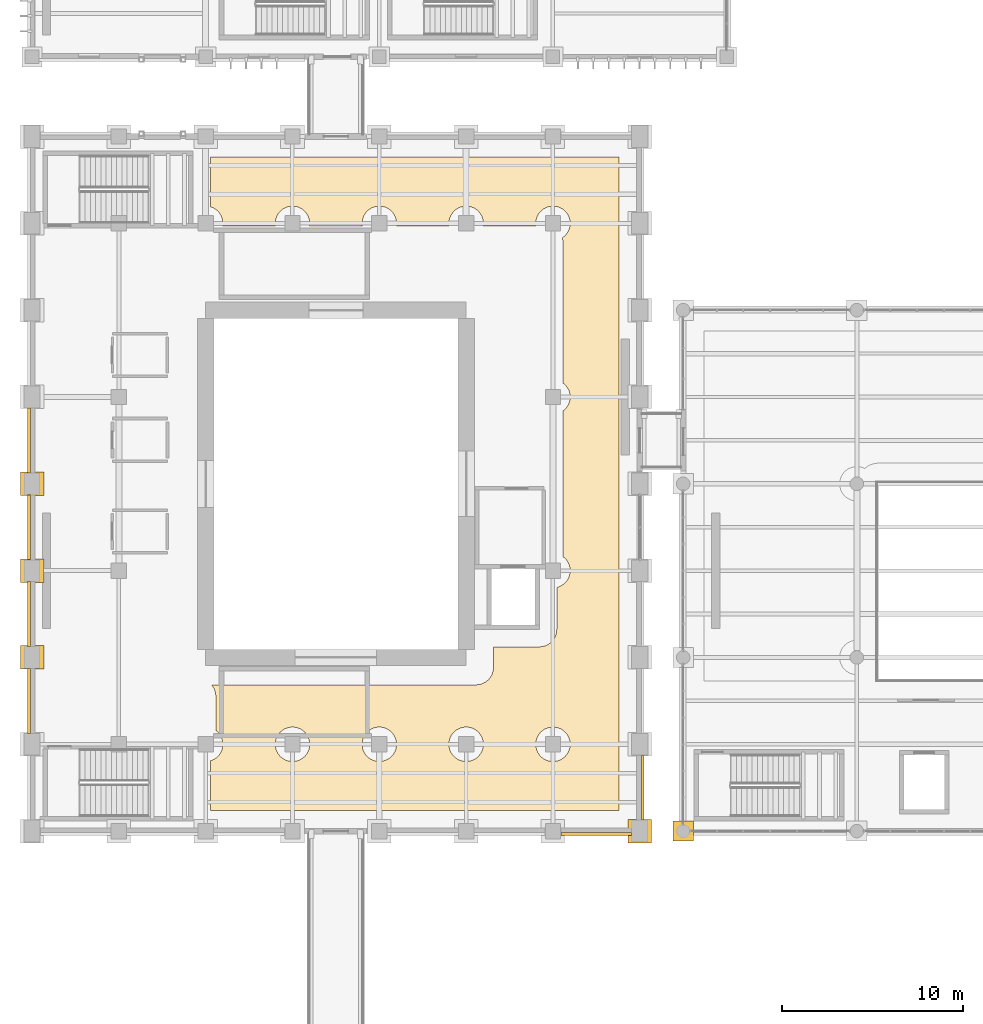
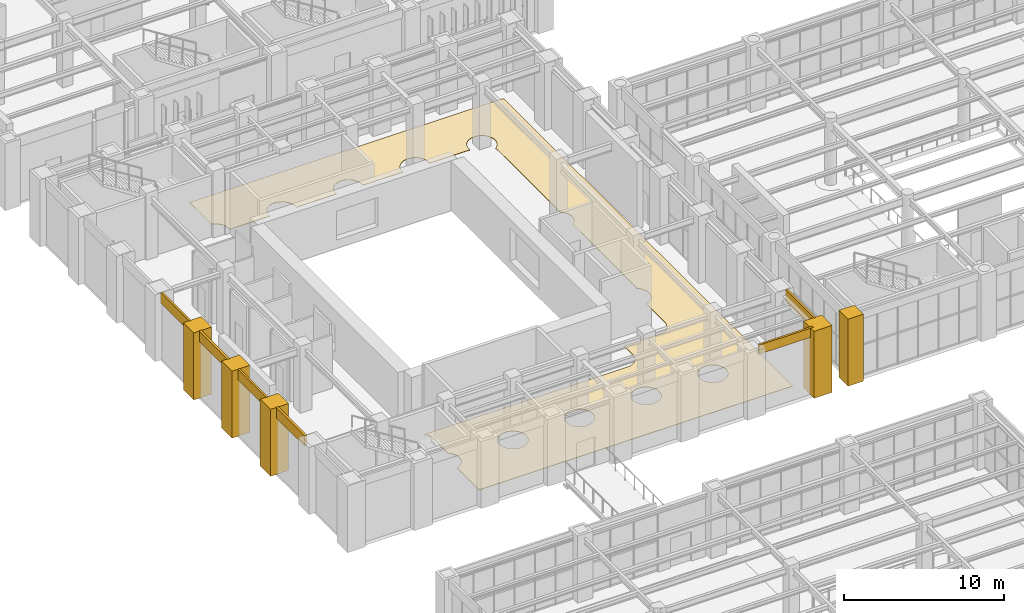
# One storey, part 156 of 174: 12 coverings.
"""IFC4 building model written with IfcOpenShell, lengths in metres."""

from ifc_helpers import new_model, si_unit, direction, frame, origin, place, context, subcontext, project, spatial, polyline, outline, extrude, material, layer, layer_set, type_object, element, save


model = new_model("IFC4")

# Units and contexts
model_context = context("Model", 3, precision=1e-05, world=origin(), true_north=direction((0.0, 1.0)))
body_context = subcontext(model_context, "Body", "Model", "MODEL_VIEW")
ifc_project = project(units=[si_unit("LENGTHUNIT", "METRE"), si_unit("AREAUNIT", "SQUARE_METRE"), si_unit("VOLUMEUNIT", "CUBIC_METRE"), si_unit("PLANEANGLEUNIT", "RADIAN"), si_unit("MASSUNIT", "GRAM", prefix="KILO")], contexts=[model_context])

# Site, building, storey
site_placement = place(None, origin())
site = spatial("IfcSite", under=ifc_project, at=site_placement, CompositionType="ELEMENT")
building_placement = place(site_placement, origin())
building = spatial("IfcBuilding", under=site, at=building_placement, Name="Mavantir Sound Aquarium", CompositionType="ELEMENT")
storey_placement = place(building_placement, frame((0.0, 0.0, 5.39990234375)))
storey = spatial("IfcBuildingStorey", under=building, at=storey_placement, Name="L01", CompositionType="ELEMENT", Elevation=5.39990234375)

# Coverings
ifc_material_1 = material(Name="Honed Coral-Limestone & Glazed Terracotta Rainscreen Cladding", Category="masonry")
ifc_layer_1 = layer(ifc_material_1, 0.06005859375, Name="Honed Coral-Limestone & Glazed Terracotta Rainscreen Cladding")
ifc_layer_set_1 = layer_set([ifc_layer_1], Name="Honed Coral-Limestone & Glazed Terracotta Rainscreen Cladding")
covering_type_1 = type_object("IfcCoveringType", Name="COV-CLAD-TC", PredefinedType="CLADDING", material=ifc_layer_set_1)
covering_1_placement = place(storey_placement, frame((0.0, 0.0, 4.19921875)))
element("IfcCovering", 1, at=covering_1_placement, inside=storey, type_object=covering_type_1, Name="L01 Postmodern coral-limestone spandrel frieze 155", PredefinedType="CLADDING", context=body_context, shape_type="SweptSolid", body=[
    extrude(outline(polyline([(33.68994140625, 41.407958984375), (33.68994140625, 44.991943359375), (33.840087890625, 44.991943359375), (33.840087890625, 41.407958984375), (33.68994140625, 41.407958984375)])), origin(), (0.0, 0.0, 1.0), 0.90087890625),
])
covering_2_placement = place(storey_placement, frame((0.0, 0.0, 4.30810546875)))
element("IfcCovering", 2, at=covering_2_placement, inside=storey, type_object=covering_type_1, Name="L01 Postmodern coral-limestone spandrel frieze 171", PredefinedType="CLADDING", context=body_context, shape_type="SweptSolid", body=[
    extrude(outline(polyline([(-0.090087890625, 64.19189453125), (-0.090087890625, 60.60791015625), (-0.239990234375, 60.60791015625), (-0.239990234375, 64.19189453125), (-0.090087890625, 64.19189453125)])), origin(), (0.0, 0.0, 1.0), 0.7919921875),
])
covering_3_placement = place(storey_placement, frame((0.0, 0.0, 4.30810546875)))
element("IfcCovering", 3, at=covering_3_placement, inside=storey, type_object=covering_type_1, Name="L01 Postmodern coral-limestone spandrel frieze 172", PredefinedType="CLADDING", context=body_context, shape_type="SweptSolid", body=[
    extrude(outline(polyline([(-0.090087890625, 59.39208984375), (-0.090087890625, 55.80810546875), (-0.239990234375, 55.80810546875), (-0.239990234375, 59.39208984375), (-0.090087890625, 59.39208984375)])), origin(), (0.0, 0.0, 1.0), 0.7919921875),
])
covering_4_placement = place(storey_placement, frame((0.0, 0.0, 4.30810546875)))
element("IfcCovering", 4, at=covering_4_placement, inside=storey, type_object=covering_type_1, Name="L01 Postmodern coral-limestone spandrel frieze 173", PredefinedType="CLADDING", context=body_context, shape_type="SweptSolid", body=[
    extrude(outline(polyline([(-0.090087890625, 54.592041015625), (-0.090087890625, 51.008056640625), (-0.239990234375, 51.008056640625), (-0.239990234375, 54.592041015625), (-0.090087890625, 54.592041015625)])), origin(), (0.0, 0.0, 1.0), 0.7919921875),
])
covering_5_placement = place(storey_placement, frame((0.0, 0.0, 4.30810546875)))
element("IfcCovering", 5, at=covering_5_placement, inside=storey, type_object=covering_type_1, Name="L01 Postmodern coral-limestone spandrel frieze 174", PredefinedType="CLADDING", context=body_context, shape_type="SweptSolid", body=[
    extrude(outline(polyline([(-0.090087890625, 49.7919921875), (-0.090087890625, 46.2080078125), (-0.239990234375, 46.2080078125), (-0.239990234375, 49.7919921875), (-0.090087890625, 49.7919921875)])), origin(), (0.0, 0.0, 1.0), 0.7919921875),
])
covering_6_placement = place(storey_placement, frame((0.0, 0.0, 4.4130859375)))
element("IfcCovering", 6, at=covering_6_placement, inside=storey, type_object=covering_type_1, Name="L01 Postmodern coral-limestone spandrel frieze 181", PredefinedType="CLADDING", context=body_context, shape_type="SweptSolid", body=[
    extrude(outline(polyline([(29.23291015625, 40.7099609375), (33.14208984375, 40.7099609375), (33.14208984375, 40.56005859375), (29.23291015625, 40.56005859375), (29.23291015625, 40.7099609375)])), origin(), (0.0, 0.0, 1.0), 0.68701171875),
])
covering_7_placement = place(storey_placement, origin())
element("IfcCovering", 7, at=covering_7_placement, inside=storey, type_object=covering_type_1, Name="L01 Postmodern coral-limestone pilaster casing 10", PredefinedType="CLADDING", context=body_context, shape_type="SweptSolid", body=[
    extrude(outline(polyline([(-0.64990234375, 49.75), (0.64990234375, 49.75), (0.64990234375, 51.050048828125), (-0.64990234375, 51.050048828125), (-0.64990234375, 49.75)])), origin(), (0.0, 0.0, 1.0), 5.10009765625),
])
covering_8_placement = place(storey_placement, origin())
element("IfcCovering", 8, at=covering_8_placement, inside=storey, type_object=covering_type_1, Name="L01 Postmodern coral-limestone pilaster casing 14", PredefinedType="CLADDING", context=body_context, shape_type="SweptSolid", body=[
    extrude(outline(polyline([(-0.64990234375, 54.550048828125), (0.64990234375, 54.550048828125), (0.64990234375, 55.85009765625), (-0.64990234375, 55.85009765625), (-0.64990234375, 54.550048828125)])), origin(), (0.0, 0.0, 1.0), 5.10009765625),
])
covering_9_placement = place(storey_placement, origin())
element("IfcCovering", 9, at=covering_9_placement, inside=storey, type_object=covering_type_1, Name="L01 Postmodern coral-limestone pilaster casing 18", PredefinedType="CLADDING", context=body_context, shape_type="SweptSolid", body=[
    extrude(outline(polyline([(-0.64990234375, 59.35009765625), (0.64990234375, 59.35009765625), (0.64990234375, 60.64990234375), (-0.64990234375, 60.64990234375), (-0.64990234375, 59.35009765625)])), origin(), (0.0, 0.0, 1.0), 5.10009765625),
])
covering_10_placement = place(storey_placement, origin())
element("IfcCovering", 10, at=covering_10_placement, inside=storey, type_object=covering_type_1, Name="L01 Postmodern coral-limestone pilaster casing 86", PredefinedType="CLADDING", context=body_context, shape_type="SweptSolid", body=[
    extrude(outline(polyline([(32.949951171875, 40.14990234375), (34.25, 40.14990234375), (34.25, 41.449951171875), (32.949951171875, 41.449951171875), (32.949951171875, 40.14990234375)])), origin(), (0.0, 0.0, 1.0), 5.10009765625),
])
covering_11_placement = place(storey_placement, origin())
element("IfcCovering", 11, at=covering_11_placement, inside=storey, type_object=covering_type_1, Name="L01 Postmodern coral-limestone pilaster casing 122", PredefinedType="CLADDING", context=body_context, shape_type="SweptSolid", body=[
    extrude(outline(polyline([(35.43994140625, 40.239990234375), (36.56005859375, 40.239990234375), (36.56005859375, 41.360107421875), (35.43994140625, 41.360107421875), (35.43994140625, 40.239990234375)])), origin(), (0.0, 0.0, 1.0), 5.10009765625),
])
ifc_material_2 = material(Name="Marine Epoxy Recycled-Shell Terrazzo Flooring")
ifc_layer_2 = layer(ifc_material_2, 0.030029296875, Name="Marine Epoxy Recycled-Shell Terrazzo Flooring")
ifc_layer_set_2 = layer_set([ifc_layer_2], Name="Marine Epoxy Recycled-Shell Terrazzo Flooring")
covering_type_2 = type_object("IfcCoveringType", Name="COV-FLR-TZ", PredefinedType="FLOORING", material=ifc_layer_set_2)
covering_12_placement = place(storey_placement, origin())
element("IfcCovering", 12, at=covering_12_placement, inside=storey, type_object=covering_type_2, Name="L01 Ocean Tank Mid-Pelagic Viewing Gallery terrazzo flooring", PredefinedType="FLOORING", context=body_context, shape_type="SweptSolid", body=[
    extrude(outline(polyline([(9.860107421875, 44.68701171875), (9.875732421875, 44.69091796875), (9.96337890625, 44.722412109375), (10.0478515625, 44.76220703125), (10.127685546875, 44.81005859375), (10.20263671875, 44.865478515625), (10.271728515625, 44.92822265625), (10.33447265625, 44.997314453125), (10.389892578125, 45.072265625), (10.437744140625, 45.152099609375), (10.477783203125, 45.236572265625), (10.509033203125, 45.32421875), (10.53173828125, 45.414794921875), (10.54541015625, 45.5068359375), (10.550048828125, 45.60009765625), (10.54541015625, 45.693115234375), (10.53173828125, 45.785400390625), (10.509033203125, 45.875732421875), (10.477783203125, 45.96337890625), (10.437744140625, 46.0478515625), (10.389892578125, 46.127685546875), (10.33447265625, 46.20263671875), (10.271728515625, 46.271728515625), (10.20263671875, 46.33447265625), (10.159912109375, 46.365966796875), (10.159912109375, 48.25), (10.15869140625, 48.295654296875), (10.158447265625, 48.301513671875), (10.149169921875, 48.393798828125), (10.148193359375, 48.399658203125), (10.1328125, 48.476318359375), (10.13134765625, 48.482177734375), (10.10498046875, 48.570068359375), (10.10302734375, 48.57568359375), (10.0693359375, 48.656982421875), (10.06689453125, 48.662353515625), (10.024658203125, 48.7412109375), (10.021484375, 48.746337890625), (9.97705078125, 48.813720703125), (9.9736328125, 48.818359375), (9.91455078125, 48.889892578125), (24.550048828125, 48.889892578125), (24.595703125, 48.89111328125), (24.6015625, 48.8916015625), (24.69384765625, 48.90087890625), (24.69970703125, 48.90185546875), (24.7763671875, 48.917236328125), (24.781982421875, 48.918701171875), (24.8701171875, 48.945068359375), (24.875732421875, 48.947021484375), (24.95703125, 48.980712890625), (24.96240234375, 48.983154296875), (25.041259765625, 49.025390625), (25.04638671875, 49.0283203125), (25.113525390625, 49.072998046875), (25.118408203125, 49.076416015625), (25.201171875, 49.14453125), (25.205322265625, 49.148681640625), (25.25146484375, 49.194580078125), (25.25537109375, 49.198974609375), (25.323486328125, 49.281494140625), (25.3271484375, 49.286376953125), (25.37158203125, 49.353759765625), (25.37451171875, 49.358642578125), (25.4169921875, 49.437744140625), (25.41943359375, 49.443115234375), (25.452880859375, 49.5244140625), (25.455078125, 49.52978515625), (25.4814453125, 49.617919921875), (25.48291015625, 49.62353515625), (25.498291015625, 49.7001953125), (25.4990234375, 49.7060546875), (25.508544921875, 49.79833984375), (25.5087890625, 49.80419921875), (25.510009765625, 49.85009765625), (25.510009765625, 50.989990234375), (28.050048828125, 50.989990234375), (28.095703125, 50.9912109375), (28.1015625, 50.991455078125), (28.19384765625, 51.0009765625), (28.19970703125, 51.001708984375), (28.2763671875, 51.01708984375), (28.281982421875, 51.0185546875), (28.3701171875, 51.044921875), (28.375732421875, 51.047119140625), (28.45703125, 51.08056640625), (28.46240234375, 51.0830078125), (28.541259765625, 51.12548828125), (28.54638671875, 51.12841796875), (28.613525390625, 51.1728515625), (28.618408203125, 51.176513671875), (28.701171875, 51.24462890625), (28.705322265625, 51.24853515625), (28.75146484375, 51.294677734375), (28.75537109375, 51.298828125), (28.823486328125, 51.381591796875), (28.8271484375, 51.386474609375), (28.87158203125, 51.45361328125), (28.87451171875, 51.458740234375), (28.9169921875, 51.53759765625), (28.91943359375, 51.54296875), (28.952880859375, 51.624267578125), (28.955078125, 51.6298828125), (28.9814453125, 51.718017578125), (28.98291015625, 51.7236328125), (28.998291015625, 51.80029296875), (28.9990234375, 51.80615234375), (29.008544921875, 51.8984375), (29.0087890625, 51.904296875), (29.010009765625, 51.949951171875), (29.010009765625, 54.2744140625), (29.07568359375, 54.291015625), (29.16357421875, 54.322265625), (29.247802734375, 54.3623046875), (29.327880859375, 54.41015625), (29.402587890625, 54.465576171875), (29.4716796875, 54.5283203125), (29.534423828125, 54.597412109375), (29.58984375, 54.672119140625), (29.6376953125, 54.752197265625), (29.677734375, 54.83642578125), (29.708984375, 54.92431640625), (29.731689453125, 55.0146484375), (29.745361328125, 55.10693359375), (29.75, 55.199951171875), (29.745361328125, 55.293212890625), (29.731689453125, 55.38525390625), (29.708984375, 55.475830078125), (29.677734375, 55.5634765625), (29.6376953125, 55.647705078125), (29.58984375, 55.727783203125), (29.534423828125, 55.802734375), (29.4716796875, 55.871826171875), (29.402587890625, 55.934326171875), (29.360107421875, 55.966064453125), (29.360107421875, 59.85009765625), (29.359130859375, 59.8798828125), (29.360107421875, 59.909912109375), (29.360107421875, 64.033935546875), (29.402587890625, 64.065673828125), (29.4716796875, 64.128173828125), (29.534423828125, 64.197265625), (29.58984375, 64.272216796875), (29.6376953125, 64.352294921875), (29.677734375, 64.4365234375), (29.708984375, 64.524169921875), (29.731689453125, 64.61474609375), (29.745361328125, 64.706787109375), (29.75, 64.800048828125), (29.745361328125, 64.89306640625), (29.731689453125, 64.9853515625), (29.708984375, 65.07568359375), (29.677734375, 65.16357421875), (29.6376953125, 65.247802734375), (29.58984375, 65.327880859375), (29.534423828125, 65.402587890625), (29.4716796875, 65.4716796875), (29.402587890625, 65.534423828125), (29.360107421875, 65.56591796875), (29.360107421875, 73.300048828125), (29.35888671875, 73.345703125), (29.3583984375, 73.3515625), (29.34912109375, 73.44384765625), (29.34814453125, 73.44970703125), (29.332763671875, 73.5263671875), (29.331298828125, 73.531982421875), (29.31103515625, 73.60009765625), (29.327880859375, 73.610107421875), (29.402587890625, 73.66552734375), (29.4716796875, 73.728271484375), (29.534423828125, 73.79736328125), (29.58984375, 73.872314453125), (29.6376953125, 73.9521484375), (29.677734375, 74.03662109375), (29.708984375, 74.124267578125), (29.731689453125, 74.214599609375), (29.745361328125, 74.306884765625), (29.75, 74.39990234375), (29.745361328125, 74.4931640625), (29.731689453125, 74.585205078125), (29.708984375, 74.67578125), (29.677734375, 74.763427734375), (29.6376953125, 74.847900390625), (29.58984375, 74.927734375), (29.534423828125, 75.002685546875), (29.4716796875, 75.07177734375), (29.402587890625, 75.134521484375), (29.327880859375, 75.18994140625), (29.247802734375, 75.23779296875), (29.16357421875, 75.277587890625), (29.07568359375, 75.30908203125), (28.9853515625, 75.331787109375), (28.89306640625, 75.345458984375), (28.800048828125, 75.35009765625), (28.706787109375, 75.345458984375), (28.61474609375, 75.331787109375), (28.524169921875, 75.30908203125), (28.4365234375, 75.277587890625), (28.352294921875, 75.23779296875), (28.272216796875, 75.18994140625), (28.197265625, 75.134521484375), (28.128173828125, 75.07177734375), (28.065673828125, 75.002685546875), (28.010009765625, 74.927734375), (27.962158203125, 74.847900390625), (27.92236328125, 74.763427734375), (27.890869140625, 74.67578125), (27.868408203125, 74.585205078125), (27.8544921875, 74.4931640625), (27.85009765625, 74.39990234375), (27.8544921875, 74.306884765625), (27.861572265625, 74.260009765625), (24.9384765625, 74.260009765625), (24.9453125, 74.306884765625), (24.949951171875, 74.39990234375), (24.9453125, 74.4931640625), (24.931640625, 74.585205078125), (24.9091796875, 74.67578125), (24.877685546875, 74.763427734375), (24.837890625, 74.847900390625), (24.789794921875, 74.927734375), (24.734375, 75.002685546875), (24.671875, 75.07177734375), (24.602783203125, 75.134521484375), (24.52783203125, 75.18994140625), (24.44775390625, 75.23779296875), (24.363525390625, 75.277587890625), (24.27587890625, 75.30908203125), (24.185302734375, 75.331787109375), (24.093017578125, 75.345458984375), (24.0, 75.35009765625), (23.906982421875, 75.345458984375), (23.814697265625, 75.331787109375), (23.72412109375, 75.30908203125), (23.636474609375, 75.277587890625), (23.55224609375, 75.23779296875), (23.47216796875, 75.18994140625), (23.397216796875, 75.134521484375), (23.328125, 75.07177734375), (23.265625, 75.002685546875), (23.210205078125, 74.927734375), (23.162109375, 74.847900390625), (23.122314453125, 74.763427734375), (23.0908203125, 74.67578125), (23.068359375, 74.585205078125), (23.0546875, 74.4931640625), (23.050048828125, 74.39990234375), (23.0546875, 74.306884765625), (23.0615234375, 74.260009765625), (20.138427734375, 74.260009765625), (20.1455078125, 74.306884765625), (20.14990234375, 74.39990234375), (20.1455078125, 74.4931640625), (20.131591796875, 74.585205078125), (20.109130859375, 74.67578125), (20.07763671875, 74.763427734375), (20.037841796875, 74.847900390625), (19.989990234375, 74.927734375), (19.934326171875, 75.002685546875), (19.871826171875, 75.07177734375), (19.802734375, 75.134521484375), (19.727783203125, 75.18994140625), (19.647705078125, 75.23779296875), (19.5634765625, 75.277587890625), (19.475830078125, 75.30908203125), (19.38525390625, 75.331787109375), (19.293212890625, 75.345458984375), (19.199951171875, 75.35009765625), (19.10693359375, 75.345458984375), (19.0146484375, 75.331787109375), (18.92431640625, 75.30908203125), (18.83642578125, 75.277587890625), (18.752197265625, 75.23779296875), (18.672119140625, 75.18994140625), (18.597412109375, 75.134521484375), (18.5283203125, 75.07177734375), (18.465576171875, 75.002685546875), (18.41015625, 74.927734375), (18.3623046875, 74.847900390625), (18.322265625, 74.763427734375), (18.291015625, 74.67578125), (18.268310546875, 74.585205078125), (18.254638671875, 74.4931640625), (18.25, 74.39990234375), (18.254638671875, 74.306884765625), (18.261474609375, 74.260009765625), (15.33837890625, 74.260009765625), (15.345458984375, 74.306884765625), (15.35009765625, 74.39990234375), (15.345458984375, 74.4931640625), (15.331787109375, 74.585205078125), (15.30908203125, 74.67578125), (15.277587890625, 74.763427734375), (15.23779296875, 74.847900390625), (15.18994140625, 74.927734375), (15.134521484375, 75.002685546875), (15.07177734375, 75.07177734375), (15.002685546875, 75.134521484375), (14.927734375, 75.18994140625), (14.847900390625, 75.23779296875), (14.763427734375, 75.277587890625), (14.67578125, 75.30908203125), (14.585205078125, 75.331787109375), (14.4931640625, 75.345458984375), (14.39990234375, 75.35009765625), (14.306884765625, 75.345458984375), (14.214599609375, 75.331787109375), (14.124267578125, 75.30908203125), (14.03662109375, 75.277587890625), (13.9521484375, 75.23779296875), (13.872314453125, 75.18994140625), (13.79736328125, 75.134521484375), (13.728271484375, 75.07177734375), (13.66552734375, 75.002685546875), (13.610107421875, 74.927734375), (13.562255859375, 74.847900390625), (13.522216796875, 74.763427734375), (13.490966796875, 74.67578125), (13.46826171875, 74.585205078125), (13.45458984375, 74.4931640625), (13.449951171875, 74.39990234375), (13.45458984375, 74.306884765625), (13.46142578125, 74.260009765625), (10.53857421875, 74.260009765625), (10.54541015625, 74.306884765625), (10.550048828125, 74.39990234375), (10.54541015625, 74.4931640625), (10.53173828125, 74.585205078125), (10.509033203125, 74.67578125), (10.477783203125, 74.763427734375), (10.437744140625, 74.847900390625), (10.389892578125, 74.927734375), (10.33447265625, 75.002685546875), (10.271728515625, 75.07177734375), (10.20263671875, 75.134521484375), (10.127685546875, 75.18994140625), (10.0478515625, 75.23779296875), (9.96337890625, 75.277587890625), (9.875732421875, 75.30908203125), (9.860107421875, 75.31298828125), (9.860107421875, 78.06005859375), (32.4599609375, 78.06005859375), (32.4599609375, 41.93994140625), (9.860107421875, 41.93994140625), (9.860107421875, 44.68701171875)]), holes=[polyline([(15.134521484375, 44.997314453125), (15.18994140625, 45.072265625), (15.23779296875, 45.152099609375), (15.277587890625, 45.236572265625), (15.30908203125, 45.32421875), (15.331787109375, 45.414794921875), (15.345458984375, 45.5068359375), (15.35009765625, 45.60009765625), (15.345458984375, 45.693115234375), (15.331787109375, 45.785400390625), (15.30908203125, 45.875732421875), (15.277587890625, 45.96337890625), (15.23779296875, 46.0478515625), (15.18994140625, 46.127685546875), (15.134521484375, 46.20263671875), (15.07177734375, 46.271728515625), (15.002685546875, 46.33447265625), (14.927734375, 46.389892578125), (14.847900390625, 46.437744140625), (14.763427734375, 46.477783203125), (14.67578125, 46.509033203125), (14.585205078125, 46.53173828125), (14.4931640625, 46.54541015625), (14.39990234375, 46.550048828125), (14.306884765625, 46.54541015625), (14.214599609375, 46.53173828125), (14.124267578125, 46.509033203125), (14.03662109375, 46.477783203125), (13.9521484375, 46.437744140625), (13.872314453125, 46.389892578125), (13.79736328125, 46.33447265625), (13.728271484375, 46.271728515625), (13.66552734375, 46.20263671875), (13.610107421875, 46.127685546875), (13.562255859375, 46.0478515625), (13.522216796875, 45.96337890625), (13.490966796875, 45.875732421875), (13.46826171875, 45.785400390625), (13.45458984375, 45.693115234375), (13.449951171875, 45.60009765625), (13.45458984375, 45.5068359375), (13.46826171875, 45.414794921875), (13.490966796875, 45.32421875), (13.522216796875, 45.236572265625), (13.562255859375, 45.152099609375), (13.610107421875, 45.072265625), (13.66552734375, 44.997314453125), (13.728271484375, 44.92822265625), (13.79736328125, 44.865478515625), (13.872314453125, 44.81005859375), (13.9521484375, 44.76220703125), (14.03662109375, 44.722412109375), (14.124267578125, 44.69091796875), (14.214599609375, 44.668212890625), (14.306884765625, 44.654541015625), (14.39990234375, 44.64990234375), (14.4931640625, 44.654541015625), (14.585205078125, 44.668212890625), (14.67578125, 44.69091796875), (14.763427734375, 44.722412109375), (14.847900390625, 44.76220703125), (14.927734375, 44.81005859375), (15.002685546875, 44.865478515625), (15.07177734375, 44.92822265625), (15.134521484375, 44.997314453125)]), polyline([(29.534423828125, 44.997314453125), (29.58984375, 45.072265625), (29.6376953125, 45.152099609375), (29.677734375, 45.236572265625), (29.708984375, 45.32421875), (29.731689453125, 45.414794921875), (29.745361328125, 45.5068359375), (29.75, 45.60009765625), (29.745361328125, 45.693115234375), (29.731689453125, 45.785400390625), (29.708984375, 45.875732421875), (29.677734375, 45.96337890625), (29.6376953125, 46.0478515625), (29.58984375, 46.127685546875), (29.534423828125, 46.20263671875), (29.4716796875, 46.271728515625), (29.402587890625, 46.33447265625), (29.327880859375, 46.389892578125), (29.247802734375, 46.437744140625), (29.16357421875, 46.477783203125), (29.07568359375, 46.509033203125), (28.9853515625, 46.53173828125), (28.89306640625, 46.54541015625), (28.800048828125, 46.550048828125), (28.706787109375, 46.54541015625), (28.61474609375, 46.53173828125), (28.524169921875, 46.509033203125), (28.4365234375, 46.477783203125), (28.352294921875, 46.437744140625), (28.272216796875, 46.389892578125), (28.197265625, 46.33447265625), (28.128173828125, 46.271728515625), (28.065673828125, 46.20263671875), (28.010009765625, 46.127685546875), (27.962158203125, 46.0478515625), (27.92236328125, 45.96337890625), (27.890869140625, 45.875732421875), (27.868408203125, 45.785400390625), (27.8544921875, 45.693115234375), (27.85009765625, 45.60009765625), (27.8544921875, 45.5068359375), (27.868408203125, 45.414794921875), (27.890869140625, 45.32421875), (27.92236328125, 45.236572265625), (27.962158203125, 45.152099609375), (28.010009765625, 45.072265625), (28.065673828125, 44.997314453125), (28.128173828125, 44.92822265625), (28.197265625, 44.865478515625), (28.272216796875, 44.81005859375), (28.352294921875, 44.76220703125), (28.4365234375, 44.722412109375), (28.524169921875, 44.69091796875), (28.61474609375, 44.668212890625), (28.706787109375, 44.654541015625), (28.800048828125, 44.64990234375), (28.89306640625, 44.654541015625), (28.9853515625, 44.668212890625), (29.07568359375, 44.69091796875), (29.16357421875, 44.722412109375), (29.247802734375, 44.76220703125), (29.327880859375, 44.81005859375), (29.402587890625, 44.865478515625), (29.4716796875, 44.92822265625), (29.534423828125, 44.997314453125)]), polyline([(24.734375, 44.997314453125), (24.789794921875, 45.072265625), (24.837890625, 45.152099609375), (24.877685546875, 45.236572265625), (24.9091796875, 45.32421875), (24.931640625, 45.414794921875), (24.9453125, 45.5068359375), (24.949951171875, 45.60009765625), (24.9453125, 45.693115234375), (24.931640625, 45.785400390625), (24.9091796875, 45.875732421875), (24.877685546875, 45.96337890625), (24.837890625, 46.0478515625), (24.789794921875, 46.127685546875), (24.734375, 46.20263671875), (24.671875, 46.271728515625), (24.602783203125, 46.33447265625), (24.52783203125, 46.389892578125), (24.44775390625, 46.437744140625), (24.363525390625, 46.477783203125), (24.27587890625, 46.509033203125), (24.185302734375, 46.53173828125), (24.093017578125, 46.54541015625), (24.0, 46.550048828125), (23.906982421875, 46.54541015625), (23.814697265625, 46.53173828125), (23.72412109375, 46.509033203125), (23.636474609375, 46.477783203125), (23.55224609375, 46.437744140625), (23.47216796875, 46.389892578125), (23.397216796875, 46.33447265625), (23.328125, 46.271728515625), (23.265625, 46.20263671875), (23.210205078125, 46.127685546875), (23.162109375, 46.0478515625), (23.122314453125, 45.96337890625), (23.0908203125, 45.875732421875), (23.068359375, 45.785400390625), (23.0546875, 45.693115234375), (23.050048828125, 45.60009765625), (23.0546875, 45.5068359375), (23.068359375, 45.414794921875), (23.0908203125, 45.32421875), (23.122314453125, 45.236572265625), (23.162109375, 45.152099609375), (23.210205078125, 45.072265625), (23.265625, 44.997314453125), (23.328125, 44.92822265625), (23.397216796875, 44.865478515625), (23.47216796875, 44.81005859375), (23.55224609375, 44.76220703125), (23.636474609375, 44.722412109375), (23.72412109375, 44.69091796875), (23.814697265625, 44.668212890625), (23.906982421875, 44.654541015625), (24.0, 44.64990234375), (24.093017578125, 44.654541015625), (24.185302734375, 44.668212890625), (24.27587890625, 44.69091796875), (24.363525390625, 44.722412109375), (24.44775390625, 44.76220703125), (24.52783203125, 44.81005859375), (24.602783203125, 44.865478515625), (24.671875, 44.92822265625), (24.734375, 44.997314453125)]), polyline([(19.934326171875, 44.997314453125), (19.989990234375, 45.072265625), (20.037841796875, 45.152099609375), (20.07763671875, 45.236572265625), (20.109130859375, 45.32421875), (20.131591796875, 45.414794921875), (20.1455078125, 45.5068359375), (20.14990234375, 45.60009765625), (20.1455078125, 45.693115234375), (20.131591796875, 45.785400390625), (20.109130859375, 45.875732421875), (20.07763671875, 45.96337890625), (20.037841796875, 46.0478515625), (19.989990234375, 46.127685546875), (19.934326171875, 46.20263671875), (19.871826171875, 46.271728515625), (19.802734375, 46.33447265625), (19.727783203125, 46.389892578125), (19.647705078125, 46.437744140625), (19.5634765625, 46.477783203125), (19.475830078125, 46.509033203125), (19.38525390625, 46.53173828125), (19.293212890625, 46.54541015625), (19.199951171875, 46.550048828125), (19.10693359375, 46.54541015625), (19.0146484375, 46.53173828125), (18.92431640625, 46.509033203125), (18.83642578125, 46.477783203125), (18.752197265625, 46.437744140625), (18.672119140625, 46.389892578125), (18.597412109375, 46.33447265625), (18.5283203125, 46.271728515625), (18.465576171875, 46.20263671875), (18.41015625, 46.127685546875), (18.3623046875, 46.0478515625), (18.322265625, 45.96337890625), (18.291015625, 45.875732421875), (18.268310546875, 45.785400390625), (18.254638671875, 45.693115234375), (18.25, 45.60009765625), (18.254638671875, 45.5068359375), (18.268310546875, 45.414794921875), (18.291015625, 45.32421875), (18.322265625, 45.236572265625), (18.3623046875, 45.152099609375), (18.41015625, 45.072265625), (18.465576171875, 44.997314453125), (18.5283203125, 44.92822265625), (18.597412109375, 44.865478515625), (18.672119140625, 44.81005859375), (18.752197265625, 44.76220703125), (18.83642578125, 44.722412109375), (18.92431640625, 44.69091796875), (19.0146484375, 44.668212890625), (19.10693359375, 44.654541015625), (19.199951171875, 44.64990234375), (19.293212890625, 44.654541015625), (19.38525390625, 44.668212890625), (19.475830078125, 44.69091796875), (19.5634765625, 44.722412109375), (19.647705078125, 44.76220703125), (19.727783203125, 44.81005859375), (19.802734375, 44.865478515625), (19.871826171875, 44.92822265625), (19.934326171875, 44.997314453125)])]), origin(), (0.0, 0.0, 1.0), 0.030029296875),
])

save(model, "model.ifc")
